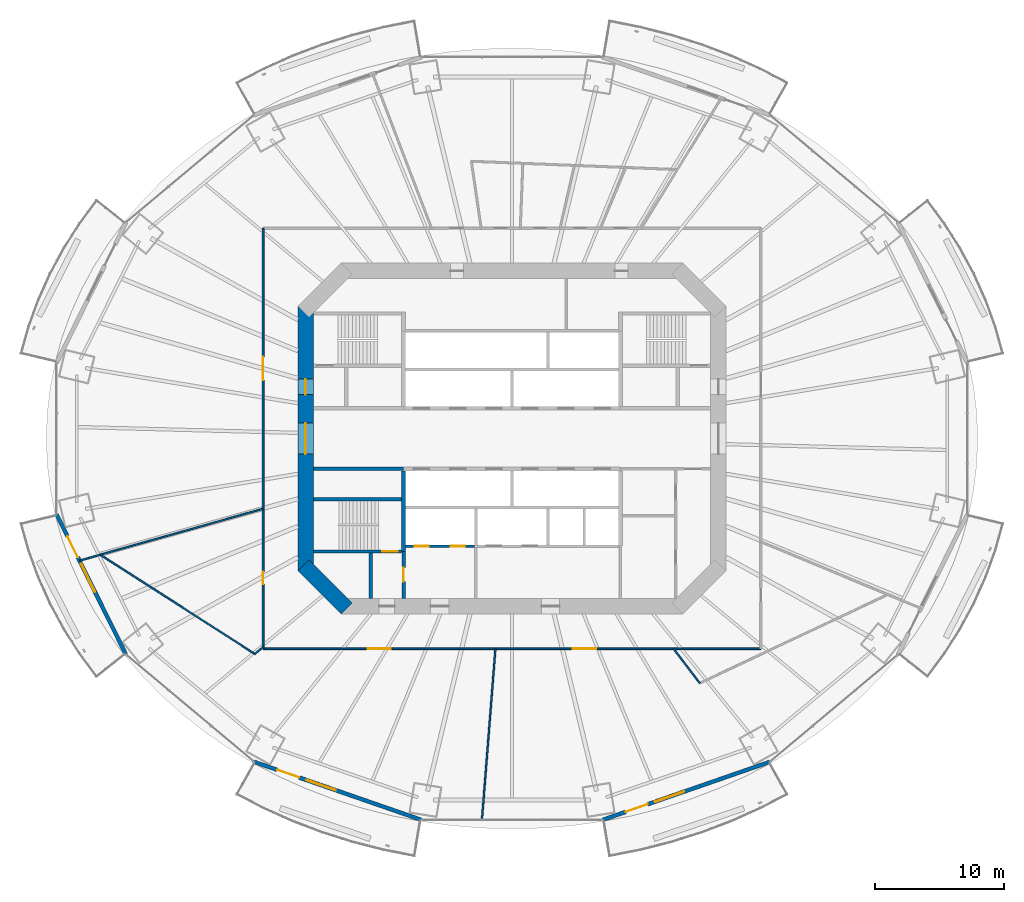
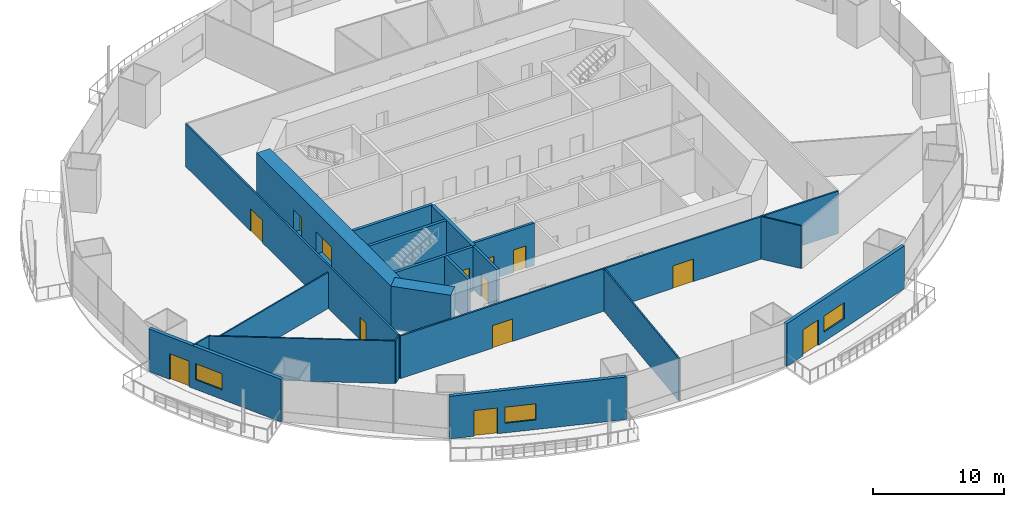
# One storey, part 14 of 23: 20 walls, 13 doors, 3 windows, 16 openings.
"""IFC4 building model written with IfcOpenShell, lengths in metres."""

from ifc_helpers import new_model, si_unit, direction, frame, frame_2d, origin, place, context, subcontext, project, spatial, rectangle, extrude, material, layer, layer_set, type_object, element, fill, save


model = new_model("IFC4")

# Units and contexts
model_context = context("Model", 3, precision=1e-05, world=origin(), true_north=direction((0.0, 1.0)))
body_context = subcontext(model_context, "Body", "Model", "MODEL_VIEW")
ifc_project = project(units=[si_unit("LENGTHUNIT", "METRE"), si_unit("AREAUNIT", "SQUARE_METRE"), si_unit("VOLUMEUNIT", "CUBIC_METRE"), si_unit("PLANEANGLEUNIT", "RADIAN"), si_unit("MASSUNIT", "GRAM", prefix="KILO")], contexts=[model_context])

# Site, building, storey
site_placement = place(None, origin())
site = spatial("IfcSite", under=ifc_project, at=site_placement, CompositionType="ELEMENT")
building_placement = place(site_placement, origin())
building = spatial("IfcBuilding", under=site, at=building_placement, Name="Marenthal Gate Tower", CompositionType="ELEMENT")
storey_placement = place(building_placement, frame((0.0, 0.0, 57.89990234375)))
storey = spatial("IfcBuildingStorey", under=building, at=storey_placement, Name="L10", CompositionType="ELEMENT", Elevation=57.89990234375)

# Wall, openings, doors
ifc_material_1 = material(Name="Concrete 60 MPa", Category="concrete")
ifc_layer_1 = layer(ifc_material_1, 1.199951171875)
ifc_layer_set_1 = layer_set([ifc_layer_1], Name="Core shear wall 1200")
wall_type_1 = type_object("IfcWallType", Name="Core shear wall 1200", PredefinedType="SHEAR", material=ifc_layer_set_1)
wall_1_placement = place(storey_placement, frame((-16.0, 10.24853515625, -0.179931640625), z_axis=(0.0, 0.0, 1.0), x_axis=(0.0, -1.0, 0.0)))
wall_1 = element("IfcWall", 1, at=wall_1_placement, inside=storey, type_object=wall_type_1, Name="Core wall 06", PredefinedType="SHEAR", context=body_context, shape_type="SweptSolid", body=[
    extrude(rectangle(XDim=20.4970703125, YDim=1.199951171875, at=frame_2d((10.24853515625, 0.0))), origin(), (0.0, 0.0, 1.0), 4.150146484375),
])
opening_1_placement = place(wall_1_placement, frame((9.048583984375, 0.0, 0.179931640625)))
opening_1 = element("IfcOpeningElement", 2, at=opening_1_placement, cuts=wall_1, Name="Opening D003.01", PredefinedType="OPENING", context=body_context, shape_type="SweptSolid", body=[
    extrude(rectangle(XDim=2.39990234375, YDim=2.10009765625, at=frame_2d((1.199951171875, 1.050048828125))), frame((0.0, 0.60986328125, 0.0), z_axis=(0.0, -1.0, 0.0), x_axis=(1.0, 0.0, 0.0)), (0.0, 0.0, 1.0), 1.219970703125),
])
opening_2_placement = place(wall_1_placement, frame((5.6484375, 0.0, 0.179931640625)))
opening_2 = element("IfcOpeningElement", 3, at=opening_2_placement, cuts=wall_1, Name="Opening D001.04", PredefinedType="OPENING", context=body_context, shape_type="SweptSolid", body=[
    extrude(rectangle(XDim=1.199951171875, YDim=2.10009765625, at=frame_2d((0.60009765625, 1.050048828125))), frame((0.0, 0.60986328125, 0.0), z_axis=(0.0, -1.0, 0.0), x_axis=(1.0, 0.0, 0.0)), (0.0, 0.0, 1.0), 1.219970703125),
])
ifc_material_2 = material(Name="Steel fire door", Category="steel")
door_type_1 = type_object("IfcDoorType", Name="Double fire door FD 45 2400 x 2100", OperationType="DOUBLE_DOOR_SINGLE_SWING", PredefinedType="DOOR", material=ifc_material_2)
door_1_placement = place(opening_1_placement, origin())
door_1 = element("IfcDoor", 4, at=door_1_placement, inside=storey, type_object=door_type_1, Name="Door D003.01", OperationType="DOUBLE_DOOR_SINGLE_SWING", OverallHeight=2.10009765625, OverallWidth=2.39990234375, PredefinedType="DOOR", context=body_context, shape_type="SweptSolid", body=[
    extrude(rectangle(XDim=2.39990234375, YDim=2.10009765625, at=frame_2d((1.199951171875, 1.050048828125))), frame((0.0, 0.02490234375, 0.0), z_axis=(0.0, -1.0, 0.0), x_axis=(1.0, 0.0, 0.0)), (0.0, 0.0, 1.0), 0.050048828125),
])
fill(opening_1, door_1)
ifc_material_3 = material(Name="Steel fire door", Category="steel")
door_type_2 = type_object("IfcDoorType", Name="Fire door FD 90 1200 x 2100", OperationType="NOTDEFINED", PredefinedType="DOOR", material=ifc_material_3)
door_2_placement = place(opening_2_placement, origin())
door_2 = element("IfcDoor", 5, at=door_2_placement, inside=storey, type_object=door_type_2, Name="Door D001.04", OperationType="SINGLE_SWING_RIGHT", OverallHeight=2.10009765625, OverallWidth=1.199951171875, PredefinedType="DOOR", context=body_context, shape_type="SweptSolid", body=[
    extrude(rectangle(XDim=1.199951171875, YDim=2.10009765625, at=frame_2d((0.60009765625, 1.050048828125))), frame((0.0, 0.02490234375, 0.0), z_axis=(0.0, -1.0, 0.0), x_axis=(1.0, 0.0, 0.0)), (0.0, 0.0, 1.0), 0.050048828125),
])
fill(opening_2, door_2)

# Walls
wall_2_placement = place(storey_placement, frame((-16.17578125, -9.82421875, -0.179931640625), z_axis=(0.0, 0.0, 1.0), x_axis=(0.707106781187, -0.707106781187, 0.0)))
element("IfcWall", 6, at=wall_2_placement, inside=storey, type_object=wall_type_1, Name="Core wall 07", PredefinedType="SHEAR", context=body_context, shape_type="SweptSolid", body=[
    extrude(rectangle(XDim=4.73974609375, YDim=1.199951171875, at=frame_2d((2.369873046875, 0.0))), origin(), (0.0, 0.0, 1.0), 4.150146484375),
])
ifc_material_4 = material(Name="Concrete 50 MPa", Category="concrete")
ifc_layer_2 = layer(ifc_material_4, 0.300048828125)
ifc_layer_set_2 = layer_set([ifc_layer_2], Name="Hoistway shear wall 300")
wall_type_2 = type_object("IfcWallType", Name="Hoistway shear wall 300", PredefinedType="SHEAR", material=ifc_layer_set_2)
wall_3_placement = place(storey_placement, frame((-8.39990234375, -8.75, -0.179931640625), z_axis=(0.0, 0.0, 1.0), x_axis=(0.0, 1.0, 0.0)))
element("IfcWall", 7, at=wall_3_placement, inside=storey, type_object=wall_type_2, Name="Hoistway wall 30", PredefinedType="SHEAR", context=body_context, shape_type="SweptSolid", body=[
    extrude(rectangle(XDim=6.25, YDim=0.300048828125, at=frame_2d((3.125, 0.0))), origin(), (0.0, 0.0, 1.0), 4.150146484375),
])

# Wall, openings, doors
ifc_material_5 = material(Name="Concrete 40 MPa", Category="concrete")
ifc_layer_3 = layer(ifc_material_5, 0.219970703125)
ifc_layer_set_3 = layer_set([ifc_layer_3], Name="Hoistway wall 220")
wall_type_3 = type_object("IfcWallType", Name="Hoistway wall 220", PredefinedType="STANDARD", material=ifc_layer_set_3)
wall_4_placement = place(storey_placement, frame((-8.25, -8.35009765625, 0.0), z_axis=(0.0, 0.0, 1.0), x_axis=(1.0, 0.0, 0.0)))
wall_4 = element("IfcWall", 8, at=wall_4_placement, inside=storey, type_object=wall_type_3, Name="Hoistway wall 10", PredefinedType="STANDARD", context=body_context, shape_type="SweptSolid", body=[
    extrude(rectangle(XDim=5.340087890625, YDim=0.219970703125, at=frame_2d((2.669921875, 0.0))), origin(), (0.0, 0.0, 1.0), 3.97021484375),
])
opening_3_placement = place(wall_4_placement, frame((0.699951171875, 0.0, 0.0)))
opening_3 = element("IfcOpeningElement", 9, at=opening_3_placement, cuts=wall_4, Name="Opening LD-LF1", PredefinedType="OPENING", context=body_context, shape_type="SweptSolid", body=[
    extrude(rectangle(XDim=1.10009765625, YDim=2.10009765625, at=frame_2d((0.550048828125, 1.050048828125))), frame((0.0, 0.1201171875, 0.0), z_axis=(0.0, -1.0, 0.0), x_axis=(1.0, 0.0, 0.0)), (0.0, 0.0, 1.0), 0.239990234375),
])
opening_4_placement = place(wall_4_placement, frame((3.5, 0.0, 0.0)))
opening_4 = element("IfcOpeningElement", 10, at=opening_4_placement, cuts=wall_4, Name="Opening LD-LF2", PredefinedType="OPENING", context=body_context, shape_type="SweptSolid", body=[
    extrude(rectangle(XDim=1.10009765625, YDim=2.10009765625, at=frame_2d((0.550048828125, 1.050048828125))), frame((0.0, 0.1201171875, 0.0), z_axis=(0.0, -1.0, 0.0), x_axis=(1.0, 0.0, 0.0)), (0.0, 0.0, 1.0), 0.239990234375),
])
ifc_material_6 = material(Name="Stainless steel sliding door", Category="steel")
door_type_3 = type_object("IfcDoorType", Name="Lift landing door FD 90 1100 x 2100", OperationType="DOUBLE_DOOR_SLIDING", PredefinedType="DOOR", material=ifc_material_6)
door_3_placement = place(opening_3_placement, origin())
door_3 = element("IfcDoor", 11, at=door_3_placement, inside=storey, type_object=door_type_3, Name="Lift landing door LF1", OperationType="DOUBLE_DOOR_SLIDING", OverallHeight=2.10009765625, OverallWidth=1.10009765625, PredefinedType="DOOR", context=body_context, shape_type="SweptSolid", body=[
    extrude(rectangle(XDim=1.10009765625, YDim=2.10009765625, at=frame_2d((0.550048828125, 1.050048828125))), frame((0.0, 0.02490234375, 0.0), z_axis=(0.0, -1.0, 0.0), x_axis=(1.0, 0.0, 0.0)), (0.0, 0.0, 1.0), 0.050048828125),
])
fill(opening_3, door_3)
door_4_placement = place(opening_4_placement, origin())
door_4 = element("IfcDoor", 12, at=door_4_placement, inside=storey, type_object=door_type_3, Name="Lift landing door LF2", OperationType="DOUBLE_DOOR_SLIDING", OverallHeight=2.10009765625, OverallWidth=1.10009765625, PredefinedType="DOOR", context=body_context, shape_type="SweptSolid", body=[
    extrude(rectangle(XDim=1.10009765625, YDim=2.10009765625, at=frame_2d((0.550048828125, 1.050048828125))), frame((0.0, 0.02490234375, 0.0), z_axis=(0.0, -1.0, 0.0), x_axis=(1.0, 0.0, 0.0)), (0.0, 0.0, 1.0), 0.050048828125),
])
fill(opening_4, door_4)

# Walls
ifc_material_7 = material(Name="Gypsum board on steel studs", Category="steel")
ifc_layer_4 = layer(ifc_material_7, 0.1201171875)
ifc_layer_set_4 = layer_set([ifc_layer_4], Name="Partition 120")
wall_type_4 = type_object("IfcWallType", Name="Partition 120", PredefinedType="PARTITIONING", material=ifc_layer_set_4)
wall_5_placement = place(storey_placement, frame((-31.919189453125, -9.012451171875, 0.0), z_axis=(0.0, 0.0, 1.0), x_axis=(0.841720695048, -0.539913207403, 0.0)))
element("IfcWall", 13, at=wall_5_placement, inside=storey, type_object=wall_type_4, Name="Partition wall 47", PredefinedType="PARTITIONING", context=body_context, shape_type="SweptSolid", body=[
    extrude(rectangle(XDim=14.238037109375, YDim=0.1201171875, at=frame_2d((7.119140625, 0.0))), origin(), (0.0, 0.0, 1.0), 3.97021484375),
])
wall_6_placement = place(storey_placement, frame((-19.934814453125, -16.69970703125, 0.0), z_axis=(0.0, 0.0, 1.0), x_axis=(0.766575396457, 0.642154312878, 0.0)))
element("IfcWall", 14, at=wall_6_placement, inside=storey, type_object=wall_type_4, Name="Partition wall 48", PredefinedType="PARTITIONING", context=body_context, shape_type="SweptSolid", body=[
    extrude(rectangle(XDim=0.828125, YDim=0.1201171875, at=frame_2d((0.4140625, 0.0))), origin(), (0.0, 0.0, 1.0), 3.97021484375),
])
wall_7_placement = place(storey_placement, frame((-19.300048828125, -5.449462890625, 0.0), z_axis=(0.0, 0.0, 1.0), x_axis=(-0.962377339702, -0.271716499368, 0.0)))
element("IfcWall", 15, at=wall_7_placement, inside=storey, type_object=wall_type_4, Name="Partition wall 50", PredefinedType="PARTITIONING", context=body_context, shape_type="SweptSolid", body=[
    extrude(rectangle(XDim=13.1201171875, YDim=0.1201171875, at=frame_2d((6.56005859375, 0.0))), origin(), (0.0, 0.0, 1.0), 3.358154296875),
])
wall_8_placement = place(storey_placement, frame((-31.926513671875, -9.014404296875, 0.0), z_axis=(0.0, 0.0, 1.0), x_axis=(-0.962365226317, -0.271759399424, 0.0)))
element("IfcWall", 16, at=wall_8_placement, inside=storey, type_object=wall_type_4, Name="Partition wall 65", PredefinedType="PARTITIONING", context=body_context, shape_type="SweptSolid", body=[
    extrude(rectangle(XDim=1.66650390625, YDim=0.1201171875, at=frame_2d((0.833251953125, 0.0))), origin(), (0.0, 0.0, 1.0), 3.97021484375),
])
wall_9_placement = place(storey_placement, frame((-1.284912109375, -16.300048828125, 0.0), z_axis=(0.0, 0.0, 1.0), x_axis=(-0.07857584752, -0.996908138289, 0.0)))
element("IfcWall", 17, at=wall_9_placement, inside=storey, type_object=wall_type_4, Name="Partition wall 54", PredefinedType="PARTITIONING", context=body_context, shape_type="SweptSolid", body=[
    extrude(rectangle(XDim=13.310791015625, YDim=0.1201171875, at=frame_2d((6.6552734375, 0.0))), origin(), (0.0, 0.0, 1.0), 3.97021484375),
])
wall_10_placement = place(storey_placement, frame((14.567626953125, -18.95947265625, 0.0), z_axis=(0.0, 0.0, 1.0), x_axis=(-0.609242747643, 0.792983779433, 0.0)))
element("IfcWall", 18, at=wall_10_placement, inside=storey, type_object=wall_type_4, Name="Partition wall 61", PredefinedType="PARTITIONING", context=body_context, shape_type="SweptSolid", body=[
    extrude(rectangle(XDim=3.353759765625, YDim=0.1201171875, at=frame_2d((1.6767578125, 0.0))), origin(), (0.0, 0.0, 1.0), 3.97021484375),
])

# Wall, openings, doors
ifc_material_8 = material(Name="Gypsum board on steel studs", Category="steel")
ifc_layer_5 = layer(ifc_material_8, 0.14990234375)
ifc_layer_set_5 = layer_set([ifc_layer_5], Name="Partition 150")
wall_type_5 = type_object("IfcWallType", Name="Partition 150", PredefinedType="PARTITIONING", material=ifc_layer_set_5)
wall_11_placement = place(storey_placement, frame((-19.300048828125, -16.300048828125, 0.0), z_axis=(0.0, 0.0, 1.0), x_axis=(0.0, 1.0, 0.0)))
wall_11 = element("IfcWall", 19, at=wall_11_placement, inside=storey, type_object=wall_type_5, Name="Partition wall 49", PredefinedType="PARTITIONING", context=body_context, shape_type="SweptSolid", body=[
    extrude(rectangle(XDim=32.60009765625, YDim=0.14990234375, at=frame_2d((16.300048828125, 0.0))), origin(), (0.0, 0.0, 1.0), 3.97021484375),
])
opening_5_placement = place(wall_11_placement, frame((20.825927734375, 0.0, 0.0)))
opening_5 = element("IfcOpeningElement", 20, at=opening_5_placement, cuts=wall_11, Name="Opening D014.01", PredefinedType="OPENING", context=body_context, shape_type="SweptSolid", body=[
    extrude(rectangle(XDim=1.800048828125, YDim=2.10009765625, at=frame_2d((0.89990234375, 1.050048828125))), frame((0.0, 0.0849609375, 0.0), z_axis=(0.0, -1.0, 0.0), x_axis=(1.0, 0.0, 0.0)), (0.0, 0.0, 1.0), 0.169921875),
])
opening_6_placement = place(wall_11_placement, frame((5.01708984375, 0.0, 0.0)))
opening_6 = element("IfcOpeningElement", 21, at=opening_6_placement, cuts=wall_11, Name="Opening D016.06", PredefinedType="OPENING", context=body_context, shape_type="SweptSolid", body=[
    extrude(rectangle(XDim=0.949951171875, YDim=2.10009765625, at=frame_2d((0.47509765625, 1.050048828125))), frame((0.0, 0.0849609375, 0.0), z_axis=(0.0, -1.0, 0.0), x_axis=(1.0, 0.0, 0.0)), (0.0, 0.0, 1.0), 0.169921875),
])
ifc_material_9 = material(Name="Timber door", Category="wood")
door_type_4 = type_object("IfcDoorType", Name="Door 950 x 2100", OperationType="NOTDEFINED", PredefinedType="DOOR", material=ifc_material_9)
door_5_placement = place(opening_6_placement, frame((0.949951171875, 0.0, 0.0), z_axis=(0.0, 0.0, 1.0), x_axis=(-1.0, 0.0, 0.0)))
door_5 = element("IfcDoor", 22, at=door_5_placement, inside=storey, type_object=door_type_4, Name="Door D016.06", OperationType="SINGLE_SWING_LEFT", OverallHeight=2.10009765625, OverallWidth=0.949951171875, PredefinedType="DOOR", context=body_context, shape_type="SweptSolid", body=[
    extrude(rectangle(XDim=0.949951171875, YDim=2.10009765625, at=frame_2d((0.47509765625, 1.050048828125))), frame((0.0, 0.02490234375, 0.0), z_axis=(0.0, -1.0, 0.0), x_axis=(1.0, 0.0, 0.0)), (0.0, 0.0, 1.0), 0.050048828125),
])
fill(opening_6, door_5)
ifc_material_10 = material(Name="Timber door", Category="wood")
door_type_5 = type_object("IfcDoorType", Name="Double door 1800 x 2100", OperationType="DOUBLE_DOOR_SINGLE_SWING", PredefinedType="DOOR", material=ifc_material_10)
door_6_placement = place(opening_5_placement, origin())
door_6 = element("IfcDoor", 23, at=door_6_placement, inside=storey, type_object=door_type_5, Name="Door D014.01", OperationType="DOUBLE_DOOR_SINGLE_SWING", OverallHeight=2.10009765625, OverallWidth=1.800048828125, PredefinedType="DOOR", context=body_context, shape_type="SweptSolid", body=[
    extrude(rectangle(XDim=1.800048828125, YDim=2.10009765625, at=frame_2d((0.89990234375, 1.050048828125))), frame((0.0, 0.02490234375, 0.0), z_axis=(0.0, -1.0, 0.0), x_axis=(1.0, 0.0, 0.0)), (0.0, 0.0, 1.0), 0.050048828125),
])
fill(opening_5, door_6)

wall_12_placement = place(storey_placement, frame((19.300048828125, -16.300048828125, 0.0), z_axis=(0.0, 0.0, 1.0), x_axis=(-1.0, 0.0, 0.0)))
wall_12 = element("IfcWall", 24, at=wall_12_placement, inside=storey, type_object=wall_type_5, Name="Partition wall 62", PredefinedType="PARTITIONING", context=body_context, shape_type="SweptSolid", body=[
    extrude(rectangle(XDim=38.60009765625, YDim=0.14990234375, at=frame_2d((19.300048828125, 0.0))), origin(), (0.0, 0.0, 1.0), 3.97021484375),
])
opening_7_placement = place(wall_12_placement, frame((28.693115234375, 0.0, 0.0)))
opening_7 = element("IfcOpeningElement", 25, at=opening_7_placement, cuts=wall_12, Name="Opening D014.02", PredefinedType="OPENING", context=body_context, shape_type="SweptSolid", body=[
    extrude(rectangle(XDim=1.800048828125, YDim=2.10009765625, at=frame_2d((0.89990234375, 1.050048828125))), frame((0.0, 0.0849609375, 0.0), z_axis=(0.0, -1.0, 0.0), x_axis=(1.0, 0.0, 0.0)), (0.0, 0.0, 1.0), 0.169921875),
])
opening_8_placement = place(wall_12_placement, frame((12.781005859375, 0.0, 0.0)))
opening_8 = element("IfcOpeningElement", 26, at=opening_8_placement, cuts=wall_12, Name="Opening D014.03", PredefinedType="OPENING", context=body_context, shape_type="SweptSolid", body=[
    extrude(rectangle(XDim=1.800048828125, YDim=2.10009765625, at=frame_2d((0.89990234375, 1.050048828125))), frame((0.0, 0.0849609375, 0.0), z_axis=(0.0, -1.0, 0.0), x_axis=(1.0, 0.0, 0.0)), (0.0, 0.0, 1.0), 0.169921875),
])
door_7_placement = place(opening_7_placement, origin())
door_7 = element("IfcDoor", 27, at=door_7_placement, inside=storey, type_object=door_type_5, Name="Door D014.02", OperationType="DOUBLE_DOOR_SINGLE_SWING", OverallHeight=2.10009765625, OverallWidth=1.800048828125, PredefinedType="DOOR", context=body_context, shape_type="SweptSolid", body=[
    extrude(rectangle(XDim=1.800048828125, YDim=2.10009765625, at=frame_2d((0.89990234375, 1.050048828125))), frame((0.0, 0.02490234375, 0.0), z_axis=(0.0, -1.0, 0.0), x_axis=(1.0, 0.0, 0.0)), (0.0, 0.0, 1.0), 0.050048828125),
])
fill(opening_7, door_7)
door_8_placement = place(opening_8_placement, origin())
door_8 = element("IfcDoor", 28, at=door_8_placement, inside=storey, type_object=door_type_5, Name="Door D014.03", OperationType="DOUBLE_DOOR_SINGLE_SWING", OverallHeight=2.10009765625, OverallWidth=1.800048828125, PredefinedType="DOOR", context=body_context, shape_type="SweptSolid", body=[
    extrude(rectangle(XDim=1.800048828125, YDim=2.10009765625, at=frame_2d((0.89990234375, 1.050048828125))), frame((0.0, 0.02490234375, 0.0), z_axis=(0.0, -1.0, 0.0), x_axis=(1.0, 0.0, 0.0)), (0.0, 0.0, 1.0), 0.050048828125),
])
fill(opening_8, door_8)

# Walls
ifc_material_11 = material(Name="Concrete 40 MPa", Category="concrete")
ifc_layer_6 = layer(ifc_material_11, 0.25)
ifc_layer_set_6 = layer_set([ifc_layer_6], Name="Stair enclosure wall 250")
wall_type_6 = type_object("IfcWallType", Name="Stair enclosure wall 250", PredefinedType="STANDARD", material=ifc_layer_set_6)
wall_13_placement = place(storey_placement, frame((-15.39990234375, -2.35009765625, 0.0), z_axis=(0.0, 0.0, 1.0), x_axis=(1.0, 0.0, 0.0)))
element("IfcWall", 29, at=wall_13_placement, inside=storey, type_object=wall_type_6, Name="Stair wall 15", PredefinedType="STANDARD", context=body_context, shape_type="SweptSolid", body=[
    extrude(rectangle(XDim=7.0, YDim=0.25, at=frame_2d((3.5, 0.0))), origin(), (0.0, 0.0, 1.0), 3.97021484375),
])
wall_14_placement = place(storey_placement, frame((-10.949951171875, -12.39990234375, 0.0), z_axis=(0.0, 0.0, 1.0), x_axis=(0.0, 1.0, 0.0)))
element("IfcWall", 30, at=wall_14_placement, inside=storey, type_object=wall_type_6, Name="Stair wall 28", PredefinedType="STANDARD", context=body_context, shape_type="SweptSolid", body=[
    extrude(rectangle(XDim=3.52490234375, YDim=0.25, at=frame_2d((1.762451171875, 0.0))), origin(), (0.0, 0.0, 1.0), 3.97021484375),
])

# Wall, opening, door
wall_15_placement = place(storey_placement, frame((-8.39990234375, -12.39990234375, 0.0), z_axis=(0.0, 0.0, 1.0), x_axis=(0.0, 1.0, 0.0)))
wall_15 = element("IfcWall", 31, at=wall_15_placement, inside=storey, type_object=wall_type_6, Name="Stair wall 29", PredefinedType="STANDARD", context=body_context, shape_type="SweptSolid", body=[
    extrude(rectangle(XDim=3.64990234375, YDim=0.25, at=frame_2d((1.824951171875, 0.0))), origin(), (0.0, 0.0, 1.0), 3.97021484375),
])
opening_9_placement = place(wall_15_placement, frame((1.300048828125, 0.0, 0.0)))
opening_9 = element("IfcOpeningElement", 32, at=opening_9_placement, cuts=wall_15, Name="Opening D002.01", PredefinedType="OPENING", context=body_context, shape_type="SweptSolid", body=[
    extrude(rectangle(XDim=1.10009765625, YDim=2.10009765625, at=frame_2d((0.550048828125, 1.050048828125))), frame((0.0, 0.135009765625, 0.0), z_axis=(0.0, -1.0, 0.0), x_axis=(1.0, 0.0, 0.0)), (0.0, 0.0, 1.0), 0.27001953125),
])
ifc_material_12 = material(Name="Steel fire door", Category="steel")
door_type_6 = type_object("IfcDoorType", Name="Fire door FD 90 1100 x 2100", OperationType="NOTDEFINED", PredefinedType="DOOR", material=ifc_material_12)
door_9_placement = place(opening_9_placement, origin())
door_9 = element("IfcDoor", 33, at=door_9_placement, inside=storey, type_object=door_type_6, Name="Door D002.01", OperationType="SINGLE_SWING_RIGHT", OverallHeight=2.10009765625, OverallWidth=1.10009765625, PredefinedType="DOOR", context=body_context, shape_type="SweptSolid", body=[
    extrude(rectangle(XDim=1.10009765625, YDim=2.10009765625, at=frame_2d((0.550048828125, 1.050048828125))), frame((0.0, 0.02490234375, 0.0), z_axis=(0.0, -1.0, 0.0), x_axis=(1.0, 0.0, 0.0)), (0.0, 0.0, 1.0), 0.050048828125),
])
fill(opening_9, door_9)

ifc_material_13 = material(Name="Concrete 50 MPa", Category="concrete")
ifc_layer_7 = layer(ifc_material_13, 0.25)
ifc_layer_set_7 = layer_set([ifc_layer_7], Name="Stair shear wall 250")
wall_type_7 = type_object("IfcWallType", Name="Stair shear wall 250", PredefinedType="SHEAR", material=ifc_layer_set_7)
wall_16_placement = place(storey_placement, frame((-15.39990234375, -8.75, -0.179931640625), z_axis=(0.0, 0.0, 1.0), x_axis=(1.0, 0.0, 0.0)))
wall_16 = element("IfcWall", 34, at=wall_16_placement, inside=storey, type_object=wall_type_7, Name="Stair wall 09", PredefinedType="SHEAR", context=body_context, shape_type="SweptSolid", body=[
    extrude(rectangle(XDim=6.849853515625, YDim=0.25, at=frame_2d((3.4248046875, 0.0))), origin(), (0.0, 0.0, 1.0), 4.150146484375),
])
opening_10_placement = place(wall_16_placement, frame((5.35009765625, 0.0, 0.179931640625)))
opening_10 = element("IfcOpeningElement", 35, at=opening_10_placement, cuts=wall_16, Name="Opening D001.03", PredefinedType="OPENING", context=body_context, shape_type="SweptSolid", body=[
    extrude(rectangle(XDim=1.199951171875, YDim=2.10009765625, at=frame_2d((0.60009765625, 1.050048828125))), frame((0.0, 0.135009765625, 0.0), z_axis=(0.0, -1.0, 0.0), x_axis=(1.0, 0.0, 0.0)), (0.0, 0.0, 1.0), 0.27001953125),
])
door_10_placement = place(opening_10_placement, origin())
door_10 = element("IfcDoor", 36, at=door_10_placement, inside=storey, type_object=door_type_2, Name="Door D001.03", OperationType="SINGLE_SWING_RIGHT", OverallHeight=2.10009765625, OverallWidth=1.199951171875, PredefinedType="DOOR", context=body_context, shape_type="SweptSolid", body=[
    extrude(rectangle(XDim=1.199951171875, YDim=2.10009765625, at=frame_2d((0.60009765625, 1.050048828125))), frame((0.0, 0.02490234375, 0.0), z_axis=(0.0, -1.0, 0.0), x_axis=(1.0, 0.0, 0.0)), (0.0, 0.0, 1.0), 0.050048828125),
])
fill(opening_10, door_10)

# Wall
wall_17_placement = place(storey_placement, frame((-15.39990234375, -4.699951171875, -0.179931640625), z_axis=(0.0, 0.0, 1.0), x_axis=(1.0, 0.0, 0.0)))
element("IfcWall", 37, at=wall_17_placement, inside=storey, type_object=wall_type_7, Name="Stair wall 14", PredefinedType="SHEAR", context=body_context, shape_type="SweptSolid", body=[
    extrude(rectangle(XDim=6.849853515625, YDim=0.25, at=frame_2d((3.4248046875, 0.0))), origin(), (0.0, 0.0, 1.0), 4.150146484375),
])

# Wall, openings, door, window
ifc_material_14 = material(Name="Terracotta cladding on insulated concrete-block backing", Category="masonry")
ifc_layer_8 = layer(ifc_material_14, 0.300048828125)
ifc_layer_set_8 = layer_set([ifc_layer_8], Name="Terracotta facade wall 300")
wall_type_8 = type_object("IfcWallType", Name="Terracotta facade wall 300", PredefinedType="SOLIDWALL", material=ifc_layer_set_8)
wall_18_placement = place(storey_placement, frame((-35.303466796875, -5.8818359375, 0.0), z_axis=(0.0, 0.0, 1.0), x_axis=(0.443294866901, -0.896375848057, 0.0)))
wall_18 = element("IfcWall", 38, at=wall_18_placement, inside=storey, type_object=wall_type_8, Name="Terracotta facade wall L10 bay 9", PredefinedType="SOLIDWALL", context=body_context, shape_type="SweptSolid", body=[
    extrude(rectangle(XDim=12.12451171875, YDim=0.300048828125, at=frame_2d((6.062255859375, 0.0))), origin(), (0.0, 0.0, 1.0), 3.97021484375),
])
opening_11_placement = place(wall_18_placement, frame((1.89990234375, 0.0, 0.0)))
opening_11 = element("IfcOpeningElement", 39, at=opening_11_placement, cuts=wall_18, Name="Opening BD-L10-09", PredefinedType="OPENING", context=body_context, shape_type="SweptSolid", body=[
    extrude(rectangle(XDim=1.800048828125, YDim=2.39990234375, at=frame_2d((0.89990234375, 1.199951171875))), frame((0.0, 0.16015625, 0.0), z_axis=(0.0, -1.0, 0.0), x_axis=(1.0, 0.0, 0.0)), (0.0, 0.0, 1.0), 0.320068359375),
])
opening_12_placement = place(wall_18_placement, frame((4.300048828125, 0.0, 0.89990234375)))
opening_12 = element("IfcOpeningElement", 40, at=opening_12_placement, cuts=wall_18, Name="Opening WN1-L10-09", PredefinedType="OPENING", context=body_context, shape_type="SweptSolid", body=[
    extrude(rectangle(XDim=2.39990234375, YDim=1.5, at=frame_2d((1.199951171875, 0.75))), frame((0.0, 0.16015625, 0.0), z_axis=(0.0, -1.0, 0.0), x_axis=(1.0, 0.0, 0.0)), (0.0, 0.0, 1.0), 0.320068359375),
])
ifc_material_15 = material(Name="Aluminium and glass", Category="aluminium")
door_type_7 = type_object("IfcDoorType", Name="Balcony door 1800x2400", OperationType="DOUBLE_DOOR_SINGLE_SWING", PredefinedType="DOOR", material=ifc_material_15)
door_11_placement = place(opening_11_placement, origin())
door_11 = element("IfcDoor", 41, at=door_11_placement, inside=storey, type_object=door_type_7, Name="Balcony door L10 bay 9", OperationType="SINGLE_SWING_LEFT", OverallHeight=2.39990234375, OverallWidth=1.800048828125, PredefinedType="DOOR", context=body_context, shape_type="SweptSolid", body=[
    extrude(rectangle(XDim=1.800048828125, YDim=2.39990234375, at=frame_2d((0.89990234375, 1.199951171875))), frame((0.0, 0.02490234375, 0.0), z_axis=(0.0, -1.0, 0.0), x_axis=(1.0, 0.0, 0.0)), (0.0, 0.0, 1.0), 0.050048828125),
])
fill(opening_11, door_11)
ifc_material_16 = material(Name="Aluminium and glass", Category="aluminium")
window_type = type_object("IfcWindowType", Name="Window 2400x1500", PartitioningType="TRIPLE_PANEL_VERTICAL", PredefinedType="WINDOW", material=ifc_material_16)
window_1_placement = place(opening_12_placement, origin())
window_1 = element("IfcWindow", 42, at=window_1_placement, inside=storey, type_object=window_type, Name="Window L10 bay 9", OverallHeight=1.5, OverallWidth=2.39990234375, PartitioningType="SINGLE_PANEL", PredefinedType="WINDOW", context=body_context, shape_type="SweptSolid", body=[
    extrude(rectangle(XDim=2.39990234375, YDim=1.5, at=frame_2d((1.199951171875, 0.75))), frame((0.0, 0.030029296875, 0.0), z_axis=(0.0, -1.0, 0.0), x_axis=(1.0, 0.0, 0.0)), (0.0, 0.0, 1.0), 0.06005859375),
])
fill(opening_12, window_1)

wall_19_placement = place(storey_placement, frame((-19.997802734375, -25.068115234375, 0.0), z_axis=(0.0, 0.0, 1.0), x_axis=(0.944762678088, -0.327755216727, 0.0)))
wall_19 = element("IfcWall", 43, at=wall_19_placement, inside=storey, type_object=wall_type_8, Name="Terracotta facade wall L10 bay 11", PredefinedType="SOLIDWALL", context=body_context, shape_type="SweptSolid", body=[
    extrude(rectangle(XDim=13.734130859375, YDim=0.300048828125, at=frame_2d((6.8671875, 0.0))), origin(), (0.0, 0.0, 1.0), 3.97021484375),
])
opening_13_placement = place(wall_19_placement, frame((1.89990234375, 0.0, 0.0)))
opening_13 = element("IfcOpeningElement", 44, at=opening_13_placement, cuts=wall_19, Name="Opening BD-L10-11", PredefinedType="OPENING", context=body_context, shape_type="SweptSolid", body=[
    extrude(rectangle(XDim=1.800048828125, YDim=2.39990234375, at=frame_2d((0.89990234375, 1.199951171875))), frame((0.0, 0.16015625, 0.0), z_axis=(0.0, -1.0, 0.0), x_axis=(1.0, 0.0, 0.0)), (0.0, 0.0, 1.0), 0.320068359375),
])
opening_14_placement = place(wall_19_placement, frame((4.300048828125, 0.0, 0.89990234375)))
opening_14 = element("IfcOpeningElement", 45, at=opening_14_placement, cuts=wall_19, Name="Opening WN1-L10-11", PredefinedType="OPENING", context=body_context, shape_type="SweptSolid", body=[
    extrude(rectangle(XDim=2.39990234375, YDim=1.5, at=frame_2d((1.199951171875, 0.75))), frame((0.0, 0.16015625, 0.0), z_axis=(0.0, -1.0, 0.0), x_axis=(1.0, 0.0, 0.0)), (0.0, 0.0, 1.0), 0.320068359375),
])
door_12_placement = place(opening_13_placement, origin())
door_12 = element("IfcDoor", 46, at=door_12_placement, inside=storey, type_object=door_type_7, Name="Balcony door L10 bay 11", OperationType="SINGLE_SWING_LEFT", OverallHeight=2.39990234375, OverallWidth=1.800048828125, PredefinedType="DOOR", context=body_context, shape_type="SweptSolid", body=[
    extrude(rectangle(XDim=1.800048828125, YDim=2.39990234375, at=frame_2d((0.89990234375, 1.199951171875))), frame((0.0, 0.02490234375, 0.0), z_axis=(0.0, -1.0, 0.0), x_axis=(1.0, 0.0, 0.0)), (0.0, 0.0, 1.0), 0.050048828125),
])
fill(opening_13, door_12)
window_2_placement = place(opening_14_placement, origin())
window_2 = element("IfcWindow", 47, at=window_2_placement, inside=storey, type_object=window_type, Name="Window L10 bay 11", OverallHeight=1.5, OverallWidth=2.39990234375, PartitioningType="SINGLE_PANEL", PredefinedType="WINDOW", context=body_context, shape_type="SweptSolid", body=[
    extrude(rectangle(XDim=2.39990234375, YDim=1.5, at=frame_2d((1.199951171875, 0.75))), frame((0.0, 0.030029296875, 0.0), z_axis=(0.0, -1.0, 0.0), x_axis=(1.0, 0.0, 0.0)), (0.0, 0.0, 1.0), 0.06005859375),
])
fill(opening_14, window_2)

wall_20_placement = place(storey_placement, frame((7.022216796875, -29.569580078125, 0.0), z_axis=(0.0, 0.0, 1.0), x_axis=(0.944762678088, 0.327755216727, 0.0)))
wall_20 = element("IfcWall", 48, at=wall_20_placement, inside=storey, type_object=wall_type_8, Name="Terracotta facade wall L10 bay 13", PredefinedType="SOLIDWALL", context=body_context, shape_type="SweptSolid", body=[
    extrude(rectangle(XDim=13.734130859375, YDim=0.300048828125, at=frame_2d((6.8671875, 0.0))), origin(), (0.0, 0.0, 1.0), 3.97021484375),
])
opening_15_placement = place(wall_20_placement, frame((1.89990234375, 0.0, 0.0)))
opening_15 = element("IfcOpeningElement", 49, at=opening_15_placement, cuts=wall_20, Name="Opening BD-L10-13", PredefinedType="OPENING", context=body_context, shape_type="SweptSolid", body=[
    extrude(rectangle(XDim=1.800048828125, YDim=2.39990234375, at=frame_2d((0.89990234375, 1.199951171875))), frame((0.0, 0.16015625, 0.0), z_axis=(0.0, -1.0, 0.0), x_axis=(1.0, 0.0, 0.0)), (0.0, 0.0, 1.0), 0.320068359375),
])
opening_16_placement = place(wall_20_placement, frame((4.300048828125, 0.0, 0.89990234375)))
opening_16 = element("IfcOpeningElement", 50, at=opening_16_placement, cuts=wall_20, Name="Opening WN1-L10-13", PredefinedType="OPENING", context=body_context, shape_type="SweptSolid", body=[
    extrude(rectangle(XDim=2.39990234375, YDim=1.5, at=frame_2d((1.199951171875, 0.75))), frame((0.0, 0.16015625, 0.0), z_axis=(0.0, -1.0, 0.0), x_axis=(1.0, 0.0, 0.0)), (0.0, 0.0, 1.0), 0.320068359375),
])
door_13_placement = place(opening_15_placement, origin())
door_13 = element("IfcDoor", 51, at=door_13_placement, inside=storey, type_object=door_type_7, Name="Balcony door L10 bay 13", OperationType="SINGLE_SWING_LEFT", OverallHeight=2.39990234375, OverallWidth=1.800048828125, PredefinedType="DOOR", context=body_context, shape_type="SweptSolid", body=[
    extrude(rectangle(XDim=1.800048828125, YDim=2.39990234375, at=frame_2d((0.89990234375, 1.199951171875))), frame((0.0, 0.02490234375, 0.0), z_axis=(0.0, -1.0, 0.0), x_axis=(1.0, 0.0, 0.0)), (0.0, 0.0, 1.0), 0.050048828125),
])
fill(opening_15, door_13)
window_3_placement = place(opening_16_placement, origin())
window_3 = element("IfcWindow", 52, at=window_3_placement, inside=storey, type_object=window_type, Name="Window L10 bay 13", OverallHeight=1.5, OverallWidth=2.39990234375, PartitioningType="SINGLE_PANEL", PredefinedType="WINDOW", context=body_context, shape_type="SweptSolid", body=[
    extrude(rectangle(XDim=2.39990234375, YDim=1.5, at=frame_2d((1.199951171875, 0.75))), frame((0.0, 0.030029296875, 0.0), z_axis=(0.0, -1.0, 0.0), x_axis=(1.0, 0.0, 0.0)), (0.0, 0.0, 1.0), 0.06005859375),
])
fill(opening_16, window_3)

save(model, "model.ifc")
